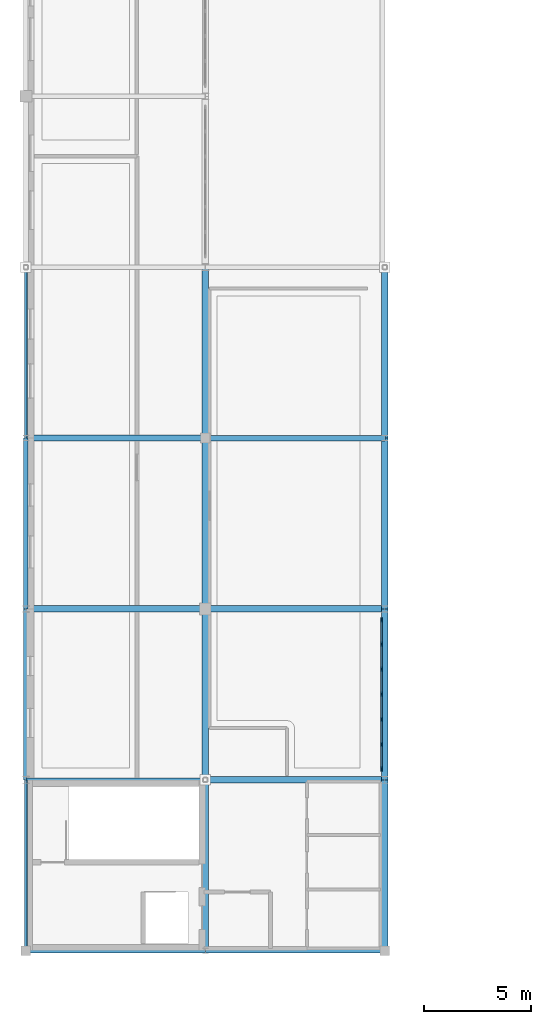
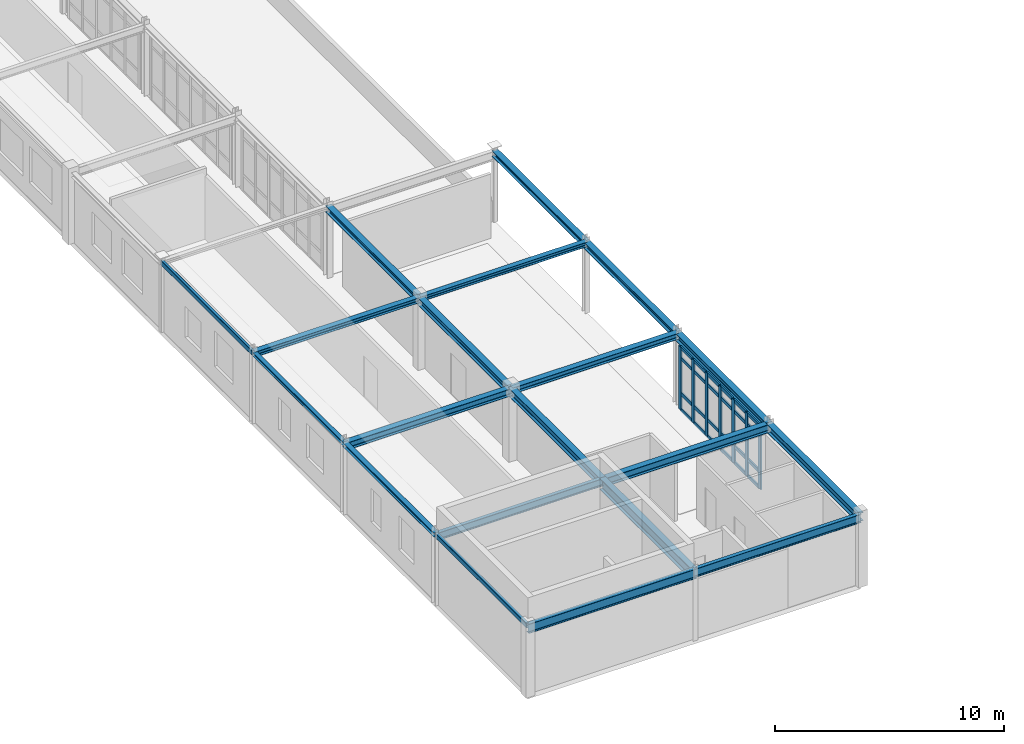
# One storey, part 9 of 58: 31 members, 20 beams, 1 element without a shape of its own.
"""IFC4 building model written with IfcOpenShell, lengths in metres."""

from ifc_helpers import new_model, si_unit, derived_unit, direction, frame, origin, origin_2d, place, context, subcontext, project, spatial, rectangle, hollow_rectangle, i_section, extrude, material, layer, layer_set, material_profile, profile_set, type_object, element, aggregate, save


model = new_model("IFC4")

# Units and contexts
model_context = context("Model", 3, precision=1e-05, world=origin(), true_north=direction((0.0, 1.0)))
body_context = subcontext(model_context, "Body", "Model", "MODEL_VIEW")
ifc_project = project(units=[si_unit("LENGTHUNIT", "METRE"), si_unit("AREAUNIT", "SQUARE_METRE"), si_unit("VOLUMEUNIT", "CUBIC_METRE"), si_unit("PLANEANGLEUNIT", "RADIAN"), si_unit("MASSUNIT", "GRAM", prefix="KILO"), derived_unit("THERMALTRANSMITTANCEUNIT", [(si_unit("POWERUNIT", "WATT"), 1), (si_unit("AREAUNIT", "SQUARE_METRE"), -1), (si_unit("THERMODYNAMICTEMPERATUREUNIT", "KELVIN"), -1)])], contexts=[model_context])

# Site, building, storey
site_placement = place(None, origin())
site = spatial("IfcSite", under=ifc_project, at=site_placement, CompositionType="ELEMENT")
building_placement = place(site_placement, origin())
building = spatial("IfcBuilding", under=site, at=building_placement, Name="Yasenodar Specialist Clinic", CompositionType="ELEMENT")
storey_placement = place(building_placement, frame((0.0, 0.0, 21.300048828125)))
storey = spatial("IfcBuildingStorey", under=building, at=storey_placement, Name="L05", CompositionType="ELEMENT", Elevation=21.300048828125)

# Beams
ifc_material_1 = material(Name="Steel S355", Category="steel")
ifc_material_profile_1 = material_profile(ifc_material_1, i_section(OverallWidth=0.260009765625, OverallDepth=0.25, WebThickness=0.007568359375, FlangeThickness=0.012451171875, FilletRadius=0.02392578125, at=origin_2d()), Name="HEA 260")
ifc_profile_set_1 = profile_set([ifc_material_profile_1], Name="Steel S355")
beam_type_1 = type_object("IfcBeamType", Name="BM-HEA260", PredefinedType="BEAM", material=ifc_profile_set_1)
beam_1_placement = place(storey_placement, frame((8.39990234375, 58.800048828125, 3.675048828125), z_axis=(1.0, 0.0, 0.0), x_axis=(0.0, 1.0, 0.0)))
element("IfcBeam", 1, at=beam_1_placement, inside=storey, type_object=beam_type_1, Name="L05 Primary E-W Girder", PredefinedType="BEAM", context=body_context, shape_type="SweptSolid", body=[
    extrude(i_section(OverallWidth=0.260009765625, OverallDepth=0.25, WebThickness=0.007568359375, FlangeThickness=0.012451171875, FilletRadius=0.02392578125, at=origin_2d()), origin(), (0.0, 0.0, 1.0), 8.400146484375),
])
ifc_material_profile_2 = material_profile(ifc_material_1, i_section(OverallWidth=0.280029296875, OverallDepth=0.27001953125, WebThickness=0.008056640625, FlangeThickness=0.012939453125, FilletRadius=0.02392578125, at=origin_2d()), Name="HEA 280")
ifc_profile_set_2 = profile_set([ifc_material_profile_2], Name="Steel S355")
beam_type_2 = type_object("IfcBeamType", Name="BM-HEA280", PredefinedType="BEAM", material=ifc_profile_set_2)
beam_2_placement = place(storey_placement, frame((0.0, 58.800048828125, 3.6650390625), z_axis=(1.0, 0.0, 0.0), x_axis=(0.0, 1.0, 0.0)))
element("IfcBeam", 2, at=beam_2_placement, inside=storey, type_object=beam_type_2, Name="L05 Primary E-W Girder", PredefinedType="BEAM", context=body_context, shape_type="SweptSolid", body=[
    extrude(i_section(OverallWidth=0.280029296875, OverallDepth=0.27001953125, WebThickness=0.008056640625, FlangeThickness=0.012939453125, FilletRadius=0.02392578125, at=origin_2d()), origin(), (0.0, 0.0, 1.0), 8.39990234375),
])
ifc_material_profile_3 = material_profile(ifc_material_1, i_section(OverallWidth=0.300048828125, OverallDepth=0.330078125, WebThickness=0.009521484375, FlangeThickness=0.0166015625, FilletRadius=0.027099609375, at=origin_2d()), Name="HEA 340")
ifc_profile_set_3 = profile_set([ifc_material_profile_3], Name="Steel S355")
beam_type_3 = type_object("IfcBeamType", Name="BM-HEA340", PredefinedType="BEAM", material=ifc_profile_set_3)
beam_3_placement = place(storey_placement, frame((8.39990234375, 50.800048828125, 3.635009765625), z_axis=(1.0, 0.0, 0.0), x_axis=(0.0, 1.0, 0.0)))
element("IfcBeam", 3, at=beam_3_placement, inside=storey, type_object=beam_type_3, Name="L05 Primary E-W Girder", PredefinedType="BEAM", context=body_context, shape_type="SweptSolid", body=[
    extrude(i_section(OverallWidth=0.300048828125, OverallDepth=0.330078125, WebThickness=0.009521484375, FlangeThickness=0.0166015625, FilletRadius=0.027099609375, at=origin_2d()), origin(), (0.0, 0.0, 1.0), 8.400146484375),
])
ifc_material_profile_4 = material_profile(ifc_material_1, i_section(OverallWidth=0.300048828125, OverallDepth=0.389892578125, WebThickness=0.010986328125, FlangeThickness=0.01904296875, FilletRadius=0.027099609375, at=origin_2d()), Name="HEA 400")
ifc_profile_set_4 = profile_set([ifc_material_profile_4], Name="Steel S355")
beam_type_4 = type_object("IfcBeamType", Name="BM-HEA400", PredefinedType="BEAM", material=ifc_profile_set_4)
beam_4_placement = place(storey_placement, frame((0.0, 50.800048828125, 3.60498046875), z_axis=(1.0, 0.0, 0.0), x_axis=(0.0, 1.0, 0.0)))
element("IfcBeam", 4, at=beam_4_placement, inside=storey, type_object=beam_type_4, Name="L05 Primary E-W Girder", PredefinedType="BEAM", context=body_context, shape_type="SweptSolid", body=[
    extrude(i_section(OverallWidth=0.300048828125, OverallDepth=0.389892578125, WebThickness=0.010986328125, FlangeThickness=0.01904296875, FilletRadius=0.027099609375, at=origin_2d()), origin(), (0.0, 0.0, 1.0), 8.39990234375),
])
ifc_material_profile_5 = material_profile(ifc_material_1, i_section(OverallWidth=0.300048828125, OverallDepth=0.43994140625, WebThickness=0.011474609375, FlangeThickness=0.02099609375, FilletRadius=0.027099609375, at=origin_2d()), Name="HEA 450")
ifc_profile_set_5 = profile_set([ifc_material_profile_5], Name="Steel S355")
beam_type_5 = type_object("IfcBeamType", Name="BM-HEA450", PredefinedType="BEAM", material=ifc_profile_set_5)
beam_5_placement = place(storey_placement, frame((8.39990234375, 42.800048828125, 3.579833984375), z_axis=(1.0, 0.0, 0.0), x_axis=(0.0, 1.0, 0.0)))
element("IfcBeam", 5, at=beam_5_placement, inside=storey, type_object=beam_type_5, Name="L05 Primary E-W Girder", PredefinedType="BEAM", context=body_context, shape_type="SweptSolid", body=[
    extrude(i_section(OverallWidth=0.300048828125, OverallDepth=0.43994140625, WebThickness=0.011474609375, FlangeThickness=0.02099609375, FilletRadius=0.027099609375, at=origin_2d()), origin(), (0.0, 0.0, 1.0), 8.400146484375),
])
ifc_material_profile_6 = material_profile(ifc_material_1, i_section(OverallWidth=0.300048828125, OverallDepth=0.300048828125, WebThickness=0.010986328125, FlangeThickness=0.01904296875, FilletRadius=0.027099609375, at=origin_2d()), Name="HEB 300")
ifc_profile_set_6 = profile_set([ifc_material_profile_6], Name="Steel S355")
beam_type_6 = type_object("IfcBeamType", Name="BM-HEB300", PredefinedType="BEAM", material=ifc_profile_set_6)
beam_6_placement = place(storey_placement, frame((16.800048828125, 58.800048828125, 3.64990234375), z_axis=(0.0, 1.0, 0.0), x_axis=(-1.0, 0.0, 0.0)))
element("IfcBeam", 6, at=beam_6_placement, inside=storey, type_object=beam_type_6, Name="L05 Primary N-S Girder", PredefinedType="BEAM", context=body_context, shape_type="SweptSolid", body=[
    extrude(i_section(OverallWidth=0.300048828125, OverallDepth=0.300048828125, WebThickness=0.010986328125, FlangeThickness=0.01904296875, FilletRadius=0.027099609375, at=origin_2d()), origin(), (0.0, 0.0, 1.0), 8.0),
])
ifc_material_profile_7 = material_profile(ifc_material_1, i_section(OverallWidth=0.300048828125, OverallDepth=0.340087890625, WebThickness=0.011962890625, FlangeThickness=0.021484375, FilletRadius=0.027099609375, at=origin_2d()), Name="HEB 340")
ifc_profile_set_7 = profile_set([ifc_material_profile_7], Name="Steel S355")
beam_type_7 = type_object("IfcBeamType", Name="BM-HEB340", PredefinedType="BEAM", material=ifc_profile_set_7)
for number, where, z_axis, x_axis, name in (
    (7, (8.39990234375, 58.800048828125, 3.6298828125), (0.0, 1.0, 0.0), (-1.0, 0.0, 0.0), "L05 Primary N-S Girder"),
    (8, (16.800048828125, 50.800048828125, 3.6298828125), (0.0, 1.0, 0.0), (-1.0, 0.0, 0.0), "L05 Primary N-S Girder"),
):
    element("IfcBeam", number, at=place(storey_placement, frame(where, z_axis=z_axis, x_axis=x_axis)), inside=storey, type_object=beam_type_7, Name=name, PredefinedType="BEAM", context=body_context, shape_type="SweptSolid", body=[
        extrude(i_section(OverallWidth=0.300048828125, OverallDepth=0.340087890625, WebThickness=0.011962890625, FlangeThickness=0.021484375, FilletRadius=0.027099609375, at=origin_2d()), origin(), (0.0, 0.0, 1.0), 8.0),
    ])
ifc_material_profile_8 = material_profile(ifc_material_1, i_section(OverallWidth=0.300048828125, OverallDepth=0.39990234375, WebThickness=0.013427734375, FlangeThickness=0.02392578125, FilletRadius=0.027099609375, at=origin_2d()), Name="HEB 400")
ifc_profile_set_8 = profile_set([ifc_material_profile_8], Name="Steel S355")
beam_type_8 = type_object("IfcBeamType", Name="BM-HEB400", PredefinedType="BEAM", material=ifc_profile_set_8)
for number, where, z_axis, x_axis, name in (
    (9, (8.39990234375, 50.800048828125, 3.599853515625), (0.0, 1.0, 0.0), (-1.0, 0.0, 0.0), "L05 Primary N-S Girder"),
    (10, (16.800048828125, 42.800048828125, 3.599853515625), (0.0, 1.0, 0.0), (-1.0, 0.0, 0.0), "L05 Primary N-S Girder"),
):
    element("IfcBeam", number, at=place(storey_placement, frame(where, z_axis=z_axis, x_axis=x_axis)), inside=storey, type_object=beam_type_8, Name=name, PredefinedType="BEAM", context=body_context, shape_type="SweptSolid", body=[
        extrude(i_section(OverallWidth=0.300048828125, OverallDepth=0.39990234375, WebThickness=0.013427734375, FlangeThickness=0.02392578125, FilletRadius=0.027099609375, at=origin_2d()), origin(), (0.0, 0.0, 1.0), 8.0),
    ])
ifc_material_profile_9 = material_profile(ifc_material_1, i_section(OverallWidth=0.300048828125, OverallDepth=0.449951171875, WebThickness=0.013916015625, FlangeThickness=0.02587890625, FilletRadius=0.027099609375, at=origin_2d()), Name="HEB 450")
ifc_profile_set_9 = profile_set([ifc_material_profile_9], Name="Steel S355")
beam_type_9 = type_object("IfcBeamType", Name="BM-HEB450", PredefinedType="BEAM", material=ifc_profile_set_9)
for number, where, z_axis, x_axis, name in (
    (11, (8.39990234375, 42.800048828125, 3.574951171875), (0.0, 1.0, 0.0), (-1.0, 0.0, 0.0), "L05 Primary N-S Girder"),
    (12, (16.800048828125, 34.800048828125, 3.574951171875), (0.0, 1.0, 0.0), (-1.0, 0.0, 0.0), "L05 Primary N-S Girder"),
):
    element("IfcBeam", number, at=place(storey_placement, frame(where, z_axis=z_axis, x_axis=x_axis)), inside=storey, type_object=beam_type_9, Name=name, PredefinedType="BEAM", context=body_context, shape_type="SweptSolid", body=[
        extrude(i_section(OverallWidth=0.300048828125, OverallDepth=0.449951171875, WebThickness=0.013916015625, FlangeThickness=0.02587890625, FilletRadius=0.027099609375, at=origin_2d()), origin(), (0.0, 0.0, 1.0), 8.0),
    ])
ifc_material_profile_10 = material_profile(ifc_material_1, i_section(OverallWidth=0.300048828125, OverallDepth=0.60009765625, WebThickness=0.015380859375, FlangeThickness=0.030029296875, FilletRadius=0.027099609375, at=origin_2d()), Name="HEB 600")
ifc_profile_set_10 = profile_set([ifc_material_profile_10], Name="Steel S355")
beam_type_10 = type_object("IfcBeamType", Name="BM-HEB600", PredefinedType="BEAM", material=ifc_profile_set_10)
beam_7_placement = place(storey_placement, frame((8.39990234375, 34.800048828125, 3.5), z_axis=(0.0, 1.0, 0.0), x_axis=(-1.0, 0.0, 0.0)))
element("IfcBeam", 13, at=beam_7_placement, inside=storey, type_object=beam_type_10, Name="L05 Primary N-S Girder", PredefinedType="BEAM", context=body_context, shape_type="SweptSolid", body=[
    extrude(i_section(OverallWidth=0.300048828125, OverallDepth=0.60009765625, WebThickness=0.015380859375, FlangeThickness=0.030029296875, FilletRadius=0.027099609375, at=origin_2d()), origin(), (0.0, 0.0, 1.0), 8.0),
])
ifc_material_profile_11 = material_profile(ifc_material_1, i_section(OverallWidth=0.179931640625, OverallDepth=0.39990234375, WebThickness=0.008544921875, FlangeThickness=0.013427734375, FilletRadius=0.02099609375, at=origin_2d()), Name="IPE 400")
ifc_profile_set_11 = profile_set([ifc_material_profile_11], Name="Steel S355")
beam_type_11 = type_object("IfcBeamType", Name="BM-IPE400", PredefinedType="BEAM", material=ifc_profile_set_11)
beam_8_placement = place(storey_placement, frame((0.0, 42.800048828125, 3.599853515625), z_axis=(1.0, 0.0, 0.0), x_axis=(0.0, 1.0, 0.0)))
element("IfcBeam", 14, at=beam_8_placement, inside=storey, type_object=beam_type_11, Name="L05 Primary E-W Girder", PredefinedType="BEAM", context=body_context, shape_type="SweptSolid", body=[
    extrude(i_section(OverallWidth=0.179931640625, OverallDepth=0.39990234375, WebThickness=0.008544921875, FlangeThickness=0.013427734375, FilletRadius=0.02099609375, at=origin_2d()), origin(), (0.0, 0.0, 1.0), 8.39990234375),
])
ifc_material_profile_12 = material_profile(ifc_material_1, i_section(OverallWidth=0.18994140625, OverallDepth=0.449951171875, WebThickness=0.009521484375, FlangeThickness=0.0146484375, FilletRadius=0.02099609375, at=origin_2d()), Name="IPE 450")
ifc_profile_set_12 = profile_set([ifc_material_profile_12], Name="Steel S355")
beam_type_12 = type_object("IfcBeamType", Name="BM-IPE450", PredefinedType="BEAM", material=ifc_profile_set_12)
beam_9_placement = place(storey_placement, frame((8.39990234375, 34.800048828125, 3.574951171875), z_axis=(1.0, 0.0, 0.0), x_axis=(0.0, 1.0, 0.0)))
element("IfcBeam", 15, at=beam_9_placement, inside=storey, type_object=beam_type_12, Name="L05 Primary E-W Girder", PredefinedType="BEAM", context=body_context, shape_type="SweptSolid", body=[
    extrude(i_section(OverallWidth=0.18994140625, OverallDepth=0.449951171875, WebThickness=0.009521484375, FlangeThickness=0.0146484375, FilletRadius=0.02099609375, at=origin_2d()), origin(), (0.0, 0.0, 1.0), 8.400146484375),
])
ifc_material_profile_13 = material_profile(ifc_material_1, i_section(OverallWidth=0.199951171875, OverallDepth=0.5, WebThickness=0.01025390625, FlangeThickness=0.01611328125, FilletRadius=0.02099609375, at=origin_2d()), Name="IPE 500")
ifc_profile_set_13 = profile_set([ifc_material_profile_13], Name="Steel S355")
beam_type_13 = type_object("IfcBeamType", Name="BM-IPE500", PredefinedType="BEAM", material=ifc_profile_set_13)
beam_10_placement = place(storey_placement, frame((0.0, 34.800048828125, 3.550048828125), z_axis=(1.0, 0.0, 0.0), x_axis=(0.0, 1.0, 0.0)))
element("IfcBeam", 16, at=beam_10_placement, inside=storey, type_object=beam_type_13, Name="L05 Primary E-W Girder", PredefinedType="BEAM", context=body_context, shape_type="SweptSolid", body=[
    extrude(i_section(OverallWidth=0.199951171875, OverallDepth=0.5, WebThickness=0.01025390625, FlangeThickness=0.01611328125, FilletRadius=0.02099609375, at=origin_2d()), origin(), (0.0, 0.0, 1.0), 8.39990234375),
])

# Curtain wall, members
ifc_material_2 = material(Name="Bronze Anodized Aluminium and Triple Low-E Glass", Category="aluminium")
ifc_layer = layer(ifc_material_2, 0.202880859375)
ifc_layer_set = layer_set([ifc_layer], Name="Bronze Anodized Aluminium and Triple Low-E Glass")
curtain_wall_type = type_object("IfcCurtainWallType", Name="CW-SYS-04", PredefinedType="USERDEFINED", material=ifc_layer_set)
curtain_wall_placement = place(storey_placement, origin())
curtain_wall = element("IfcCurtainWall", 17, at=curtain_wall_placement, inside=storey, type_object=curtain_wall_type, Name="L05 Unitised Curtain Wall 145", ObjectType="UNITISED CURTAIN WALL", PredefinedType="USERDEFINED")
ifc_material_3 = material(Name="Bronze Anodized Aluminium", Category="aluminium")
ifc_material_profile_14 = material_profile(ifc_material_3, rectangle(XDim=0.074951171875, YDim=0.22509765625, at=origin_2d()), Name="CW-MULL 75x225")
ifc_profile_set_14 = profile_set([ifc_material_profile_14], Name="Bronze Anodized Aluminium")
member_type_1 = type_object("IfcMemberType", Name="CW-MULL-225", PredefinedType="MULLION", material=ifc_profile_set_14)
member_1_placement = place(storey_placement, frame((16.64990234375, 50.282470703125, 0.0), z_axis=(0.0, 0.0, 1.0), x_axis=(1.0, 0.0, 0.0)))
member_1 = element("IfcMember", 18, at=member_1_placement, type_object=member_type_1, Name="CW-04 mullion 1", PredefinedType="MULLION", context=body_context, shape_type="SweptSolid", body=[
    extrude(rectangle(XDim=0.074951171875, YDim=0.22509765625, at=origin_2d()), origin(), (0.0, 0.0, 1.0), 3.3779296875),
])
member_2_placement = place(storey_placement, frame((16.64990234375, 49.146728515625, 0.0), z_axis=(0.0, 0.0, 1.0), x_axis=(1.0, 0.0, 0.0)))
member_2 = element("IfcMember", 19, at=member_2_placement, type_object=member_type_1, Name="CW-04 mullion 2", PredefinedType="MULLION", context=body_context, shape_type="SweptSolid", body=[
    extrude(rectangle(XDim=0.074951171875, YDim=0.22509765625, at=origin_2d()), origin(), (0.0, 0.0, 1.0), 3.3779296875),
])
member_3_placement = place(storey_placement, frame((16.64990234375, 47.973388671875, 0.0), z_axis=(0.0, 0.0, 1.0), x_axis=(1.0, 0.0, 0.0)))
member_3 = element("IfcMember", 20, at=member_3_placement, type_object=member_type_1, Name="CW-04 mullion 3", PredefinedType="MULLION", context=body_context, shape_type="SweptSolid", body=[
    extrude(rectangle(XDim=0.074951171875, YDim=0.22509765625, at=origin_2d()), origin(), (0.0, 0.0, 1.0), 3.3779296875),
])
member_4_placement = place(storey_placement, frame((16.64990234375, 46.800048828125, 0.0), z_axis=(0.0, 0.0, 1.0), x_axis=(1.0, 0.0, 0.0)))
member_4 = element("IfcMember", 21, at=member_4_placement, type_object=member_type_1, Name="CW-04 mullion 4", PredefinedType="MULLION", context=body_context, shape_type="SweptSolid", body=[
    extrude(rectangle(XDim=0.074951171875, YDim=0.22509765625, at=origin_2d()), origin(), (0.0, 0.0, 1.0), 3.3779296875),
])
member_5_placement = place(storey_placement, frame((16.64990234375, 45.626708984375, 0.0), z_axis=(0.0, 0.0, 1.0), x_axis=(1.0, 0.0, 0.0)))
member_5 = element("IfcMember", 22, at=member_5_placement, type_object=member_type_1, Name="CW-04 mullion 5", PredefinedType="MULLION", context=body_context, shape_type="SweptSolid", body=[
    extrude(rectangle(XDim=0.074951171875, YDim=0.22509765625, at=origin_2d()), origin(), (0.0, 0.0, 1.0), 3.3779296875),
])
member_6_placement = place(storey_placement, frame((16.64990234375, 44.453369140625, 0.0), z_axis=(0.0, 0.0, 1.0), x_axis=(1.0, 0.0, 0.0)))
member_6 = element("IfcMember", 23, at=member_6_placement, type_object=member_type_1, Name="CW-04 mullion 6", PredefinedType="MULLION", context=body_context, shape_type="SweptSolid", body=[
    extrude(rectangle(XDim=0.074951171875, YDim=0.22509765625, at=origin_2d()), origin(), (0.0, 0.0, 1.0), 3.3779296875),
])
member_7_placement = place(storey_placement, frame((16.64990234375, 43.3173828125, 0.0), z_axis=(0.0, 0.0, 1.0), x_axis=(1.0, 0.0, 0.0)))
member_7 = element("IfcMember", 24, at=member_7_placement, type_object=member_type_1, Name="CW-04 mullion 7", PredefinedType="MULLION", context=body_context, shape_type="SweptSolid", body=[
    extrude(rectangle(XDim=0.074951171875, YDim=0.22509765625, at=origin_2d()), origin(), (0.0, 0.0, 1.0), 3.3779296875),
])
ifc_material_profile_15 = material_profile(ifc_material_3, rectangle(XDim=0.074951171875, YDim=0.175048828125, at=origin_2d()), Name="CW-TRAN 75x175")
ifc_profile_set_15 = profile_set([ifc_material_profile_15], Name="Bronze Anodized Aluminium")
member_type_2 = type_object("IfcMemberType", Name="CW-TRAN-175", PredefinedType="USERDEFINED", material=ifc_profile_set_15)
member_8_placement = place(storey_placement, frame((16.64990234375, 50.2451171875, 0.037353515625), z_axis=(0.0, -1.0, 0.0), x_axis=(1.0, 0.0, 0.0)))
member_8 = element("IfcMember", 25, at=member_8_placement, type_object=member_type_2, Name="CW-04 transom 1.1", ObjectType="TRANSOM", PredefinedType="USERDEFINED", context=body_context, shape_type="SweptSolid", body=[
    extrude(rectangle(XDim=0.074951171875, YDim=0.175048828125, at=origin_2d()), origin(), (0.0, 0.0, 1.0), 1.06103515625),
])
member_9_placement = place(storey_placement, frame((16.64990234375, 50.2451171875, 0.89990234375), z_axis=(0.0, -1.0, 0.0), x_axis=(1.0, 0.0, 0.0)))
member_9 = element("IfcMember", 26, at=member_9_placement, type_object=member_type_2, Name="CW-04 transom 1.2", ObjectType="TRANSOM", PredefinedType="USERDEFINED", context=body_context, shape_type="SweptSolid", body=[
    extrude(rectangle(XDim=0.074951171875, YDim=0.175048828125, at=origin_2d()), origin(), (0.0, 0.0, 1.0), 1.06103515625),
])
member_10_placement = place(storey_placement, frame((16.64990234375, 50.2451171875, 2.77783203125), z_axis=(0.0, -1.0, 0.0), x_axis=(1.0, 0.0, 0.0)))
member_10 = element("IfcMember", 27, at=member_10_placement, type_object=member_type_2, Name="CW-04 transom 1.3", ObjectType="TRANSOM", PredefinedType="USERDEFINED", context=body_context, shape_type="SweptSolid", body=[
    extrude(rectangle(XDim=0.074951171875, YDim=0.175048828125, at=origin_2d()), origin(), (0.0, 0.0, 1.0), 1.06103515625),
])
member_11_placement = place(storey_placement, frame((16.64990234375, 50.2451171875, 3.34033203125), z_axis=(0.0, -1.0, 0.0), x_axis=(1.0, 0.0, 0.0)))
member_11 = element("IfcMember", 28, at=member_11_placement, type_object=member_type_2, Name="CW-04 transom 1.4", ObjectType="TRANSOM", PredefinedType="USERDEFINED", context=body_context, shape_type="SweptSolid", body=[
    extrude(rectangle(XDim=0.074951171875, YDim=0.175048828125, at=origin_2d()), origin(), (0.0, 0.0, 1.0), 1.06103515625),
])
member_12_placement = place(storey_placement, frame((16.64990234375, 49.109130859375, 0.037353515625), z_axis=(0.0, -1.0, 0.0), x_axis=(1.0, 0.0, 0.0)))
member_12 = element("IfcMember", 29, at=member_12_placement, type_object=member_type_2, Name="CW-04 transom 2.1", ObjectType="TRANSOM", PredefinedType="USERDEFINED", context=body_context, shape_type="SweptSolid", body=[
    extrude(rectangle(XDim=0.074951171875, YDim=0.175048828125, at=origin_2d()), origin(), (0.0, 0.0, 1.0), 1.098388671875),
])
member_13_placement = place(storey_placement, frame((16.64990234375, 49.109130859375, 0.89990234375), z_axis=(0.0, -1.0, 0.0), x_axis=(1.0, 0.0, 0.0)))
member_13 = element("IfcMember", 30, at=member_13_placement, type_object=member_type_2, Name="CW-04 transom 2.2", ObjectType="TRANSOM", PredefinedType="USERDEFINED", context=body_context, shape_type="SweptSolid", body=[
    extrude(rectangle(XDim=0.074951171875, YDim=0.175048828125, at=origin_2d()), origin(), (0.0, 0.0, 1.0), 1.098388671875),
])
member_14_placement = place(storey_placement, frame((16.64990234375, 49.109130859375, 2.77783203125), z_axis=(0.0, -1.0, 0.0), x_axis=(1.0, 0.0, 0.0)))
member_14 = element("IfcMember", 31, at=member_14_placement, type_object=member_type_2, Name="CW-04 transom 2.3", ObjectType="TRANSOM", PredefinedType="USERDEFINED", context=body_context, shape_type="SweptSolid", body=[
    extrude(rectangle(XDim=0.074951171875, YDim=0.175048828125, at=origin_2d()), origin(), (0.0, 0.0, 1.0), 1.098388671875),
])
member_15_placement = place(storey_placement, frame((16.64990234375, 49.109130859375, 3.34033203125), z_axis=(0.0, -1.0, 0.0), x_axis=(1.0, 0.0, 0.0)))
member_15 = element("IfcMember", 32, at=member_15_placement, type_object=member_type_2, Name="CW-04 transom 2.4", ObjectType="TRANSOM", PredefinedType="USERDEFINED", context=body_context, shape_type="SweptSolid", body=[
    extrude(rectangle(XDim=0.074951171875, YDim=0.175048828125, at=origin_2d()), origin(), (0.0, 0.0, 1.0), 1.098388671875),
])
member_16_placement = place(storey_placement, frame((16.64990234375, 47.935791015625, 0.037353515625), z_axis=(0.0, -1.0, 0.0), x_axis=(1.0, 0.0, 0.0)))
member_16 = element("IfcMember", 33, at=member_16_placement, type_object=member_type_2, Name="CW-04 transom 3.1", ObjectType="TRANSOM", PredefinedType="USERDEFINED", context=body_context, shape_type="SweptSolid", body=[
    extrude(rectangle(XDim=0.074951171875, YDim=0.175048828125, at=origin_2d()), origin(), (0.0, 0.0, 1.0), 1.098388671875),
])
member_17_placement = place(storey_placement, frame((16.64990234375, 47.935791015625, 0.89990234375), z_axis=(0.0, -1.0, 0.0), x_axis=(1.0, 0.0, 0.0)))
member_17 = element("IfcMember", 34, at=member_17_placement, type_object=member_type_2, Name="CW-04 transom 3.2", ObjectType="TRANSOM", PredefinedType="USERDEFINED", context=body_context, shape_type="SweptSolid", body=[
    extrude(rectangle(XDim=0.074951171875, YDim=0.175048828125, at=origin_2d()), origin(), (0.0, 0.0, 1.0), 1.098388671875),
])
member_18_placement = place(storey_placement, frame((16.64990234375, 47.935791015625, 2.77783203125), z_axis=(0.0, -1.0, 0.0), x_axis=(1.0, 0.0, 0.0)))
member_18 = element("IfcMember", 35, at=member_18_placement, type_object=member_type_2, Name="CW-04 transom 3.3", ObjectType="TRANSOM", PredefinedType="USERDEFINED", context=body_context, shape_type="SweptSolid", body=[
    extrude(rectangle(XDim=0.074951171875, YDim=0.175048828125, at=origin_2d()), origin(), (0.0, 0.0, 1.0), 1.098388671875),
])
member_19_placement = place(storey_placement, frame((16.64990234375, 47.935791015625, 3.34033203125), z_axis=(0.0, -1.0, 0.0), x_axis=(1.0, 0.0, 0.0)))
member_19 = element("IfcMember", 36, at=member_19_placement, type_object=member_type_2, Name="CW-04 transom 3.4", ObjectType="TRANSOM", PredefinedType="USERDEFINED", context=body_context, shape_type="SweptSolid", body=[
    extrude(rectangle(XDim=0.074951171875, YDim=0.175048828125, at=origin_2d()), origin(), (0.0, 0.0, 1.0), 1.098388671875),
])
member_20_placement = place(storey_placement, frame((16.64990234375, 46.762451171875, 0.037353515625), z_axis=(0.0, -1.0, 0.0), x_axis=(1.0, 0.0, 0.0)))
member_20 = element("IfcMember", 37, at=member_20_placement, type_object=member_type_2, Name="CW-04 transom 4.1", ObjectType="TRANSOM", PredefinedType="USERDEFINED", context=body_context, shape_type="SweptSolid", body=[
    extrude(rectangle(XDim=0.074951171875, YDim=0.175048828125, at=origin_2d()), origin(), (0.0, 0.0, 1.0), 1.098388671875),
])
member_21_placement = place(storey_placement, frame((16.64990234375, 46.762451171875, 0.89990234375), z_axis=(0.0, -1.0, 0.0), x_axis=(1.0, 0.0, 0.0)))
member_21 = element("IfcMember", 38, at=member_21_placement, type_object=member_type_2, Name="CW-04 transom 4.2", ObjectType="TRANSOM", PredefinedType="USERDEFINED", context=body_context, shape_type="SweptSolid", body=[
    extrude(rectangle(XDim=0.074951171875, YDim=0.175048828125, at=origin_2d()), origin(), (0.0, 0.0, 1.0), 1.098388671875),
])
member_22_placement = place(storey_placement, frame((16.64990234375, 46.762451171875, 2.77783203125), z_axis=(0.0, -1.0, 0.0), x_axis=(1.0, 0.0, 0.0)))
member_22 = element("IfcMember", 39, at=member_22_placement, type_object=member_type_2, Name="CW-04 transom 4.3", ObjectType="TRANSOM", PredefinedType="USERDEFINED", context=body_context, shape_type="SweptSolid", body=[
    extrude(rectangle(XDim=0.074951171875, YDim=0.175048828125, at=origin_2d()), origin(), (0.0, 0.0, 1.0), 1.098388671875),
])
member_23_placement = place(storey_placement, frame((16.64990234375, 46.762451171875, 3.34033203125), z_axis=(0.0, -1.0, 0.0), x_axis=(1.0, 0.0, 0.0)))
member_23 = element("IfcMember", 40, at=member_23_placement, type_object=member_type_2, Name="CW-04 transom 4.4", ObjectType="TRANSOM", PredefinedType="USERDEFINED", context=body_context, shape_type="SweptSolid", body=[
    extrude(rectangle(XDim=0.074951171875, YDim=0.175048828125, at=origin_2d()), origin(), (0.0, 0.0, 1.0), 1.098388671875),
])
member_24_placement = place(storey_placement, frame((16.64990234375, 45.589111328125, 0.037353515625), z_axis=(0.0, -1.0, 0.0), x_axis=(1.0, 0.0, 0.0)))
member_24 = element("IfcMember", 41, at=member_24_placement, type_object=member_type_2, Name="CW-04 transom 5.1", ObjectType="TRANSOM", PredefinedType="USERDEFINED", context=body_context, shape_type="SweptSolid", body=[
    extrude(rectangle(XDim=0.074951171875, YDim=0.175048828125, at=origin_2d()), origin(), (0.0, 0.0, 1.0), 1.098388671875),
])
member_25_placement = place(storey_placement, frame((16.64990234375, 45.589111328125, 0.89990234375), z_axis=(0.0, -1.0, 0.0), x_axis=(1.0, 0.0, 0.0)))
member_25 = element("IfcMember", 42, at=member_25_placement, type_object=member_type_2, Name="CW-04 transom 5.2", ObjectType="TRANSOM", PredefinedType="USERDEFINED", context=body_context, shape_type="SweptSolid", body=[
    extrude(rectangle(XDim=0.074951171875, YDim=0.175048828125, at=origin_2d()), origin(), (0.0, 0.0, 1.0), 1.098388671875),
])
member_26_placement = place(storey_placement, frame((16.64990234375, 45.589111328125, 2.77783203125), z_axis=(0.0, -1.0, 0.0), x_axis=(1.0, 0.0, 0.0)))
member_26 = element("IfcMember", 43, at=member_26_placement, type_object=member_type_2, Name="CW-04 transom 5.3", ObjectType="TRANSOM", PredefinedType="USERDEFINED", context=body_context, shape_type="SweptSolid", body=[
    extrude(rectangle(XDim=0.074951171875, YDim=0.175048828125, at=origin_2d()), origin(), (0.0, 0.0, 1.0), 1.098388671875),
])
member_27_placement = place(storey_placement, frame((16.64990234375, 45.589111328125, 3.34033203125), z_axis=(0.0, -1.0, 0.0), x_axis=(1.0, 0.0, 0.0)))
member_27 = element("IfcMember", 44, at=member_27_placement, type_object=member_type_2, Name="CW-04 transom 5.4", ObjectType="TRANSOM", PredefinedType="USERDEFINED", context=body_context, shape_type="SweptSolid", body=[
    extrude(rectangle(XDim=0.074951171875, YDim=0.175048828125, at=origin_2d()), origin(), (0.0, 0.0, 1.0), 1.098388671875),
])
member_28_placement = place(storey_placement, frame((16.64990234375, 44.415771484375, 0.037353515625), z_axis=(0.0, -1.0, 0.0), x_axis=(1.0, 0.0, 0.0)))
member_28 = element("IfcMember", 45, at=member_28_placement, type_object=member_type_2, Name="CW-04 transom 6.1", ObjectType="TRANSOM", PredefinedType="USERDEFINED", context=body_context, shape_type="SweptSolid", body=[
    extrude(rectangle(XDim=0.074951171875, YDim=0.175048828125, at=origin_2d()), origin(), (0.0, 0.0, 1.0), 1.060791015625),
])
member_29_placement = place(storey_placement, frame((16.64990234375, 44.415771484375, 0.89990234375), z_axis=(0.0, -1.0, 0.0), x_axis=(1.0, 0.0, 0.0)))
member_29 = element("IfcMember", 46, at=member_29_placement, type_object=member_type_2, Name="CW-04 transom 6.2", ObjectType="TRANSOM", PredefinedType="USERDEFINED", context=body_context, shape_type="SweptSolid", body=[
    extrude(rectangle(XDim=0.074951171875, YDim=0.175048828125, at=origin_2d()), origin(), (0.0, 0.0, 1.0), 1.060791015625),
])
member_30_placement = place(storey_placement, frame((16.64990234375, 44.415771484375, 2.77783203125), z_axis=(0.0, -1.0, 0.0), x_axis=(1.0, 0.0, 0.0)))
member_30 = element("IfcMember", 47, at=member_30_placement, type_object=member_type_2, Name="CW-04 transom 6.3", ObjectType="TRANSOM", PredefinedType="USERDEFINED", context=body_context, shape_type="SweptSolid", body=[
    extrude(rectangle(XDim=0.074951171875, YDim=0.175048828125, at=origin_2d()), origin(), (0.0, 0.0, 1.0), 1.060791015625),
])
member_31_placement = place(storey_placement, frame((16.64990234375, 44.415771484375, 3.34033203125), z_axis=(0.0, -1.0, 0.0), x_axis=(1.0, 0.0, 0.0)))
member_31 = element("IfcMember", 48, at=member_31_placement, type_object=member_type_2, Name="CW-04 transom 6.4", ObjectType="TRANSOM", PredefinedType="USERDEFINED", context=body_context, shape_type="SweptSolid", body=[
    extrude(rectangle(XDim=0.074951171875, YDim=0.175048828125, at=origin_2d()), origin(), (0.0, 0.0, 1.0), 1.060791015625),
])
aggregate(curtain_wall, [member_1, member_2, member_3, member_4, member_5, member_6, member_7, member_8, member_9, member_10, member_11, member_12, member_13, member_14, member_15, member_16, member_17, member_18, member_19, member_20, member_21, member_22, member_23, member_24, member_25, member_26, member_27, member_28, member_29, member_30, member_31])

# Beams
ifc_material_profile_16 = material_profile(ifc_material_1, i_section(OverallWidth=0.199951171875, OverallDepth=0.18994140625, WebThickness=0.006591796875, FlangeThickness=0.010009765625, FilletRadius=0.01806640625, at=origin_2d()), Name="HEA 200")
ifc_profile_set_16 = profile_set([ifc_material_profile_16], Name="Steel S355")
beam_type_14 = type_object("IfcBeamType", Name="SP-HEA200", PredefinedType="SPANDREL", material=ifc_profile_set_16)
beam_11_placement = place(storey_placement, frame((0.0, 50.800048828125, 3.704833984375), z_axis=(0.0, 1.0, 0.0), x_axis=(-1.0, 0.0, 0.0)))
element("IfcBeam", 49, at=beam_11_placement, inside=storey, type_object=beam_type_14, Name="L05 Perimeter Spandrel Beam", PredefinedType="SPANDREL", context=body_context, shape_type="SweptSolid", body=[
    extrude(i_section(OverallWidth=0.199951171875, OverallDepth=0.18994140625, WebThickness=0.006591796875, FlangeThickness=0.010009765625, FilletRadius=0.01806640625, at=origin_2d()), origin(), (0.0, 0.0, 1.0), 8.0),
])
ifc_material_profile_17 = material_profile(ifc_material_1, i_section(OverallWidth=0.239990234375, OverallDepth=0.22998046875, WebThickness=0.007568359375, FlangeThickness=0.011962890625, FilletRadius=0.02099609375, at=origin_2d()), Name="HEA 240")
ifc_profile_set_17 = profile_set([ifc_material_profile_17], Name="Steel S355")
beam_type_15 = type_object("IfcBeamType", Name="SP-HEA240", PredefinedType="SPANDREL", material=ifc_profile_set_17)
beam_12_placement = place(storey_placement, frame((0.0, 42.800048828125, 3.68505859375), z_axis=(0.0, 1.0, 0.0), x_axis=(-1.0, 0.0, 0.0)))
element("IfcBeam", 50, at=beam_12_placement, inside=storey, type_object=beam_type_15, Name="L05 Perimeter Spandrel Beam", PredefinedType="SPANDREL", context=body_context, shape_type="SweptSolid", body=[
    extrude(i_section(OverallWidth=0.239990234375, OverallDepth=0.22998046875, WebThickness=0.007568359375, FlangeThickness=0.011962890625, FilletRadius=0.02099609375, at=origin_2d()), origin(), (0.0, 0.0, 1.0), 8.0),
])
ifc_material_profile_18 = material_profile(ifc_material_1, hollow_rectangle(XDim=0.14990234375, YDim=0.25, WallThickness=0.010009765625, InnerFilletRadius=0.014892578125, OuterFilletRadius=0.02490234375, at=origin_2d()), Name="RHS 250x150x10")
ifc_profile_set_18 = profile_set([ifc_material_profile_18], Name="Steel S355")
beam_type_16 = type_object("IfcBeamType", Name="SP-RHS250", PredefinedType="SPANDREL", material=ifc_profile_set_18)
for number, where, z_axis, x_axis, name in (
    (51, (0.0, 34.800048828125, 3.675048828125), (0.0, 1.0, 0.0), (-1.0, 0.0, 0.0), "L05 Perimeter Spandrel Beam"),
    (52, (0.0, 58.800048828125, 3.675048828125), (0.0, 1.0, 0.0), (-1.0, 0.0, 0.0), "L05 Perimeter Spandrel Beam"),
):
    element("IfcBeam", number, at=place(storey_placement, frame(where, z_axis=z_axis, x_axis=x_axis)), inside=storey, type_object=beam_type_16, Name=name, PredefinedType="SPANDREL", context=body_context, shape_type="SweptSolid", body=[
        extrude(hollow_rectangle(XDim=0.14990234375, YDim=0.25, WallThickness=0.010009765625, InnerFilletRadius=0.014892578125, OuterFilletRadius=0.02490234375, at=origin_2d()), origin(), (0.0, 0.0, 1.0), 8.0),
    ])

save(model, "model.ifc")
